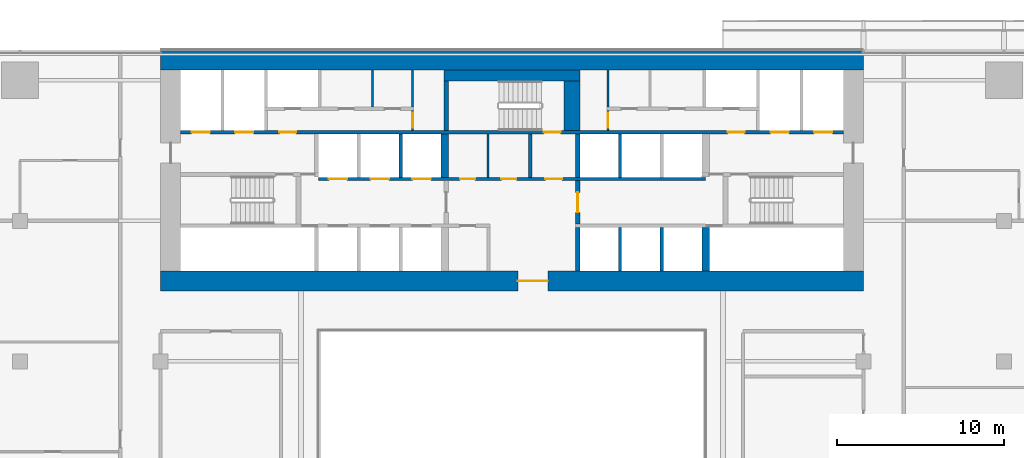
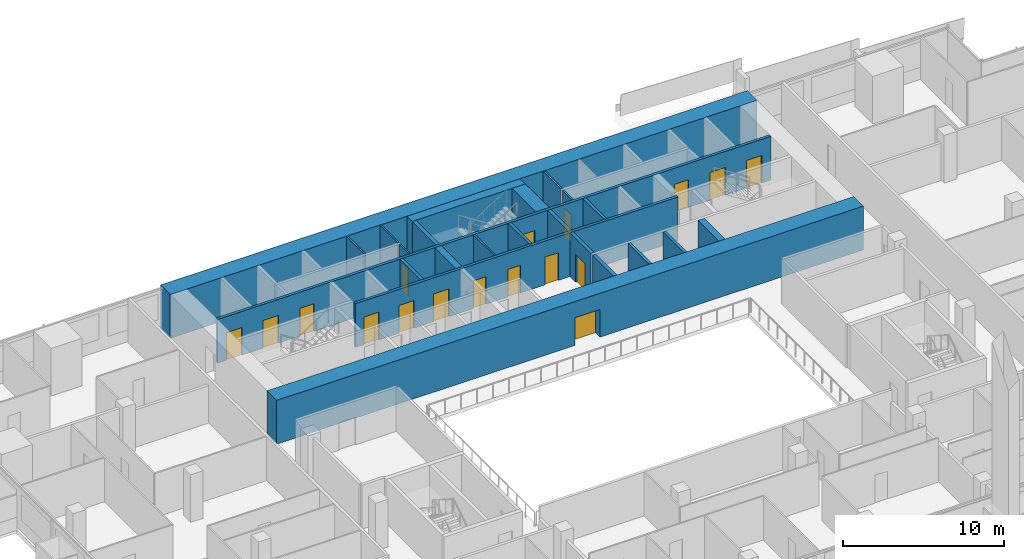
# One storey, part 21 of 30: 23 walls, 17 doors, 17 openings.
"""IFC4 building model written with IfcOpenShell, lengths in metres."""

from ifc_helpers import new_model, si_unit, direction, frame, frame_2d, origin, place, context, subcontext, project, spatial, rectangle, extrude, material, layer, layer_set, type_object, element, fill, save


model = new_model("IFC4")

# Units and contexts
model_context = context("Model", 3, precision=1e-05, world=origin(), true_north=direction((0.0, 1.0)))
body_context = subcontext(model_context, "Body", "Model", "MODEL_VIEW")
ifc_project = project(units=[si_unit("LENGTHUNIT", "METRE"), si_unit("AREAUNIT", "SQUARE_METRE"), si_unit("VOLUMEUNIT", "CUBIC_METRE"), si_unit("PLANEANGLEUNIT", "RADIAN"), si_unit("MASSUNIT", "GRAM", prefix="KILO")], contexts=[model_context])

# Site, building, storey
site_placement = place(None, origin())
site = spatial("IfcSite", under=ifc_project, at=site_placement, CompositionType="ELEMENT")
building_placement = place(site_placement, origin())
building = spatial("IfcBuilding", under=site, at=building_placement, Name="Saffron Gate Tower", CompositionType="ELEMENT")
storey_placement = place(building_placement, frame((0.0, 0.0, 37.199951171875)))
storey = spatial("IfcBuildingStorey", under=building, at=storey_placement, Name="L07", CompositionType="ELEMENT", Elevation=37.199951171875)

# Wall, opening, door
ifc_material_1 = material(Name="Concrete C70", Category="concrete")
ifc_layer_1 = layer(ifc_material_1, 1.199951171875)
ifc_layer_set_1 = layer_set([ifc_layer_1], Name="CW1 RC core wall 1200 C70")
wall_type_1 = type_object("IfcWallType", Name="CW1 RC core wall 1200 C70", PredefinedType="SOLIDWALL", material=ifc_layer_set_1)
wall_1_placement = place(storey_placement, frame((66.60009765625, 61.800048828125, 0.0), z_axis=(0.0, 0.0, 1.0), x_axis=(1.0, 0.0, 0.0)))
wall_1 = element("IfcWall", 1, at=wall_1_placement, inside=storey, type_object=wall_type_1, Name="Wall CW1-L07-1", PredefinedType="SOLIDWALL", context=body_context, shape_type="SweptSolid", body=[
    extrude(rectangle(XDim=42.0, YDim=1.199951171875, at=frame_2d((21.0, 0.0))), origin(), (0.0, 0.0, 1.0), 3.320068359375),
])
opening_1_placement = place(wall_1_placement, frame((21.35009765625, 0.0, 0.0)))
opening_1 = element("IfcOpeningElement", 2, at=opening_1_placement, cuts=wall_1, Name="Opening CR-09", PredefinedType="OPENING", context=body_context, shape_type="SweptSolid", body=[
    extrude(rectangle(XDim=1.800048828125, YDim=2.10009765625, at=frame_2d((0.89990234375, 1.050048828125))), frame((0.0, 0.60986328125, 0.0), z_axis=(0.0, -1.0, 0.0), x_axis=(1.0, 0.0, 0.0)), (0.0, 0.0, 1.0), 1.219970703125),
])
ifc_material_2 = material(Name="Steel fire door set", Category="steel")
door_type_1 = type_object("IfcDoorType", Name="CD1 Core entrance door 1800x2100 EI 120", OperationType="NOTDEFINED", PredefinedType="DOOR", material=ifc_material_2)
door_1_placement = place(opening_1_placement, origin())
door_1 = element("IfcDoor", 3, at=door_1_placement, inside=storey, type_object=door_type_1, Name="DOOR CR-09", OperationType="DOUBLE_DOOR_SINGLE_SWING", OverallHeight=2.10009765625, OverallWidth=1.800048828125, PredefinedType="DOOR", context=body_context, shape_type="SweptSolid", body=[
    extrude(rectangle(XDim=1.800048828125, YDim=2.10009765625, at=frame_2d((0.89990234375, 1.050048828125))), frame((0.0, 0.02490234375, 0.0), z_axis=(0.0, -1.0, 0.0), x_axis=(1.0, 0.0, 0.0)), (0.0, 0.0, 1.0), 0.050048828125),
])
fill(opening_1, door_1)

# Walls
wall_2_placement = place(storey_placement, frame((66.60009765625, 75.0, 0.0), z_axis=(0.0, 0.0, 1.0), x_axis=(1.0, 0.0, 0.0)))
element("IfcWall", 4, at=wall_2_placement, inside=storey, type_object=wall_type_1, Name="Wall CW1-L07-2", PredefinedType="SOLIDWALL", context=body_context, shape_type="SweptSolid", body=[
    extrude(rectangle(XDim=42.0, YDim=1.199951171875, at=frame_2d((21.0, 0.0))), origin(), (0.0, 0.0, 1.0), 3.320068359375),
])
ifc_material_3 = material(Name="Gypsum board partition on steel studs", Category="steel")
ifc_layer_2 = layer(ifc_material_3, 0.199951171875)
ifc_layer_set_2 = layer_set([ifc_layer_2], Name="CW10 Core partition 200")
wall_type_2 = type_object("IfcWallType", Name="CW10 Core partition 200", PredefinedType="PARTITIONING", material=ifc_layer_set_2)
wall_3_placement = place(storey_placement, frame((88.699951171875, 68.0, 0.0), z_axis=(0.0, 0.0, 1.0), x_axis=(0.0, 1.0, 0.0)))
element("IfcWall", 5, at=wall_3_placement, inside=storey, type_object=wall_type_2, Name="Wall CW10-L07-25", PredefinedType="PARTITIONING", context=body_context, shape_type="SweptSolid", body=[
    extrude(rectangle(XDim=2.60009765625, YDim=0.199951171875, at=frame_2d((1.300048828125, 0.0))), origin(), (0.0, 0.0, 1.0), 3.320068359375),
])
ifc_layer_3 = layer(ifc_material_1, 0.25)
ifc_layer_set_3 = layer_set([ifc_layer_3], Name="CW2 RC core wall 250 C70")
wall_type_3 = type_object("IfcWallType", Name="CW2 RC core wall 250 C70", PredefinedType="SOLIDWALL", material=ifc_layer_set_3)
wall_4_placement = place(storey_placement, frame((91.52490234375, 62.39990234375, 0.0), z_axis=(0.0, 0.0, 1.0), x_axis=(0.0, 1.0, 0.0)))
element("IfcWall", 6, at=wall_4_placement, inside=storey, type_object=wall_type_3, Name="Wall CW2-L07-10", PredefinedType="SOLIDWALL", context=body_context, shape_type="SweptSolid", body=[
    extrude(rectangle(XDim=2.60009765625, YDim=0.25, at=frame_2d((1.300048828125, 0.0))), origin(), (0.0, 0.0, 1.0), 3.320068359375),
])

# Wall, opening, door
wall_5_placement = place(storey_placement, frame((91.52490234375, 65.199951171875, 0.0), z_axis=(0.0, 0.0, 1.0), x_axis=(0.0, 1.0, 0.0)))
wall_5 = element("IfcWall", 7, at=wall_5_placement, inside=storey, type_object=wall_type_3, Name="Wall CW2-L07-18", PredefinedType="SOLIDWALL", context=body_context, shape_type="SweptSolid", body=[
    extrude(rectangle(XDim=2.60009765625, YDim=0.25, at=frame_2d((1.300048828125, 0.0))), origin(), (0.0, 0.0, 1.0), 3.320068359375),
])
opening_2_placement = place(wall_5_placement, frame((0.699951171875, 0.0, 0.0)))
opening_2 = element("IfcOpeningElement", 8, at=opening_2_placement, cuts=wall_5, Name="Opening CR-01", PredefinedType="OPENING", context=body_context, shape_type="SweptSolid", body=[
    extrude(rectangle(XDim=1.199951171875, YDim=2.10009765625, at=frame_2d((0.60009765625, 1.050048828125))), frame((0.0, 0.135009765625, 0.0), z_axis=(0.0, -1.0, 0.0), x_axis=(1.0, 0.0, 0.0)), (0.0, 0.0, 1.0), 0.27001953125),
])
door_type_2 = type_object("IfcDoorType", Name="CD3 Lobby door 1200x2100 EI 120", OperationType="NOTDEFINED", PredefinedType="DOOR", material=ifc_material_2)
door_2_placement = place(opening_2_placement, origin())
door_2 = element("IfcDoor", 9, at=door_2_placement, inside=storey, type_object=door_type_2, Name="DOOR CR-01", OperationType="SINGLE_SWING_RIGHT", OverallHeight=2.10009765625, OverallWidth=1.199951171875, PredefinedType="DOOR", context=body_context, shape_type="SweptSolid", body=[
    extrude(rectangle(XDim=1.199951171875, YDim=2.10009765625, at=frame_2d((0.60009765625, 1.050048828125))), frame((0.0, 0.02490234375, 0.0), z_axis=(0.0, -1.0, 0.0), x_axis=(1.0, 0.0, 0.0)), (0.0, 0.0, 1.0), 0.050048828125),
])
fill(opening_2, door_2)

# Walls
wall_6_placement = place(storey_placement, frame((91.52490234375, 68.0, 0.0), z_axis=(0.0, 0.0, 1.0), x_axis=(0.0, 1.0, 0.0)))
element("IfcWall", 10, at=wall_6_placement, inside=storey, type_object=wall_type_3, Name="Wall CW2-L07-26", PredefinedType="SOLIDWALL", context=body_context, shape_type="SweptSolid", body=[
    extrude(rectangle(XDim=2.60009765625, YDim=0.25, at=frame_2d((1.300048828125, 0.0))), origin(), (0.0, 0.0, 1.0), 3.320068359375),
])
wall_7_placement = place(storey_placement, frame((83.675048828125, 70.800048828125, 0.0), z_axis=(0.0, 0.0, 1.0), x_axis=(0.0, 1.0, 0.0)))
element("IfcWall", 11, at=wall_7_placement, inside=storey, type_object=wall_type_3, Name="Wall CW2-L07-38", PredefinedType="SOLIDWALL", context=body_context, shape_type="SweptSolid", body=[
    extrude(rectangle(XDim=2.949951171875, YDim=0.25, at=frame_2d((1.47509765625, 0.0))), origin(), (0.0, 0.0, 1.0), 3.320068359375),
])
ifc_layer_4 = layer(ifc_material_1, 0.199951171875)
ifc_layer_set_4 = layer_set([ifc_layer_4], Name="CW3 RC core wall 200 C70")
wall_type_4 = type_object("IfcWallType", Name="CW3 RC core wall 200 C70", PredefinedType="SOLIDWALL", material=ifc_layer_set_4)
for number, where, z_axis, x_axis, name in (
    (12, (94.050048828125, 62.39990234375, 0.0), (0.0, 0.0, 1.0), (0.0, 1.0, 0.0), "Wall CW3-L07-11"),
    (13, (96.550048828125, 62.39990234375, 0.0), (0.0, 0.0, 1.0), (0.0, 1.0, 0.0), "Wall CW3-L07-12"),
):
    element("IfcWall", number, at=place(storey_placement, frame(where, z_axis=z_axis, x_axis=x_axis)), inside=storey, type_object=wall_type_4, Name=name, PredefinedType="SOLIDWALL", context=body_context, shape_type="SweptSolid", body=[
        extrude(rectangle(XDim=2.60009765625, YDim=0.199951171875, at=frame_2d((1.300048828125, 0.0))), origin(), (0.0, 0.0, 1.0), 3.320068359375),
    ])

# Wall, openings, doors
wall_8_placement = place(storey_placement, frame((76.050048828125, 67.89990234375, 0.0), z_axis=(0.0, 0.0, 1.0), x_axis=(1.0, 0.0, 0.0)))
wall_8 = element("IfcWall", 14, at=wall_8_placement, inside=storey, type_object=wall_type_4, Name="Wall CW3-L07-20", PredefinedType="SOLIDWALL", context=body_context, shape_type="SweptSolid", body=[
    extrude(rectangle(XDim=23.099853515625, YDim=0.199951171875, at=frame_2d((11.5498046875, 0.0))), origin(), (0.0, 0.0, 1.0), 3.320068359375),
])
opening_3_placement = place(wall_8_placement, frame((0.60009765625, 0.0, 0.0)))
opening_3 = element("IfcOpeningElement", 15, at=opening_3_placement, cuts=wall_8, Name="Opening LD-LR4", PredefinedType="OPENING", context=body_context, shape_type="SweptSolid", body=[
    extrude(rectangle(XDim=1.10009765625, YDim=2.10009765625, at=frame_2d((0.550048828125, 1.050048828125))), frame((0.0, 0.10986328125, 0.0), z_axis=(0.0, -1.0, 0.0), x_axis=(1.0, 0.0, 0.0)), (0.0, 0.0, 1.0), 0.219970703125),
])
opening_4_placement = place(wall_8_placement, frame((3.10009765625, 0.0, 0.0)))
opening_4 = element("IfcOpeningElement", 16, at=opening_4_placement, cuts=wall_8, Name="Opening LD-LR5", PredefinedType="OPENING", context=body_context, shape_type="SweptSolid", body=[
    extrude(rectangle(XDim=1.10009765625, YDim=2.10009765625, at=frame_2d((0.550048828125, 1.050048828125))), frame((0.0, 0.10986328125, 0.0), z_axis=(0.0, -1.0, 0.0), x_axis=(1.0, 0.0, 0.0)), (0.0, 0.0, 1.0), 0.219970703125),
])
opening_5_placement = place(wall_8_placement, frame((5.60009765625, 0.0, 0.0)))
opening_5 = element("IfcOpeningElement", 17, at=opening_5_placement, cuts=wall_8, Name="Opening LD-LR6", PredefinedType="OPENING", context=body_context, shape_type="SweptSolid", body=[
    extrude(rectangle(XDim=1.10009765625, YDim=2.10009765625, at=frame_2d((0.550048828125, 1.050048828125))), frame((0.0, 0.10986328125, 0.0), z_axis=(0.0, -1.0, 0.0), x_axis=(1.0, 0.0, 0.0)), (0.0, 0.0, 1.0), 0.219970703125),
])
opening_6_placement = place(wall_8_placement, frame((8.449951171875, 0.0, 0.0)))
opening_6 = element("IfcOpeningElement", 18, at=opening_6_placement, cuts=wall_8, Name="Opening CR-67", PredefinedType="OPENING", context=body_context, shape_type="SweptSolid", body=[
    extrude(rectangle(XDim=0.89990234375, YDim=2.10009765625, at=frame_2d((0.449951171875, 1.050048828125))), frame((0.0, 0.10986328125, 0.0), z_axis=(0.0, -1.0, 0.0), x_axis=(1.0, 0.0, 0.0)), (0.0, 0.0, 1.0), 0.219970703125),
])
opening_7_placement = place(wall_8_placement, frame((10.909912109375, 0.0, 0.0)))
opening_7 = element("IfcOpeningElement", 19, at=opening_7_placement, cuts=wall_8, Name="Opening CR-68", PredefinedType="OPENING", context=body_context, shape_type="SweptSolid", body=[
    extrude(rectangle(XDim=0.89990234375, YDim=2.10009765625, at=frame_2d((0.449951171875, 1.050048828125))), frame((0.0, 0.10986328125, 0.0), z_axis=(0.0, -1.0, 0.0), x_axis=(1.0, 0.0, 0.0)), (0.0, 0.0, 1.0), 0.219970703125),
])
opening_8_placement = place(wall_8_placement, frame((13.550048828125, 0.0, 0.0)))
opening_8 = element("IfcOpeningElement", 20, at=opening_8_placement, cuts=wall_8, Name="Opening CR-02", PredefinedType="OPENING", context=body_context, shape_type="SweptSolid", body=[
    extrude(rectangle(XDim=1.0, YDim=2.10009765625, at=frame_2d((0.5, 1.050048828125))), frame((0.0, 0.10986328125, 0.0), z_axis=(0.0, -1.0, 0.0), x_axis=(1.0, 0.0, 0.0)), (0.0, 0.0, 1.0), 0.219970703125),
])
door_type_3 = type_object("IfcDoorType", Name="CD4 Lobby door 1000x2100 EI 120", OperationType="NOTDEFINED", PredefinedType="DOOR", material=ifc_material_2)
door_3_placement = place(opening_8_placement, origin())
door_3 = element("IfcDoor", 21, at=door_3_placement, inside=storey, type_object=door_type_3, Name="DOOR CR-02", OperationType="SINGLE_SWING_LEFT", OverallHeight=2.10009765625, OverallWidth=1.0, PredefinedType="DOOR", context=body_context, shape_type="SweptSolid", body=[
    extrude(rectangle(XDim=1.0, YDim=2.10009765625, at=frame_2d((0.5, 1.050048828125))), frame((0.0, 0.02490234375, 0.0), z_axis=(0.0, -1.0, 0.0), x_axis=(1.0, 0.0, 0.0)), (0.0, 0.0, 1.0), 0.050048828125),
])
fill(opening_8, door_3)
door_type_4 = type_object("IfcDoorType", Name="CD9 Room door 900x2100 EI 60", OperationType="NOTDEFINED", PredefinedType="DOOR", material=ifc_material_2)
door_4_placement = place(opening_6_placement, origin())
door_4 = element("IfcDoor", 22, at=door_4_placement, inside=storey, type_object=door_type_4, Name="DOOR CR-67", OperationType="SINGLE_SWING_LEFT", OverallHeight=2.10009765625, OverallWidth=0.89990234375, PredefinedType="DOOR", context=body_context, shape_type="SweptSolid", body=[
    extrude(rectangle(XDim=0.89990234375, YDim=2.10009765625, at=frame_2d((0.449951171875, 1.050048828125))), frame((0.0, 0.02490234375, 0.0), z_axis=(0.0, -1.0, 0.0), x_axis=(1.0, 0.0, 0.0)), (0.0, 0.0, 1.0), 0.050048828125),
])
fill(opening_6, door_4)
door_5_placement = place(opening_7_placement, origin())
door_5 = element("IfcDoor", 23, at=door_5_placement, inside=storey, type_object=door_type_4, Name="DOOR CR-68", OperationType="SINGLE_SWING_LEFT", OverallHeight=2.10009765625, OverallWidth=0.89990234375, PredefinedType="DOOR", context=body_context, shape_type="SweptSolid", body=[
    extrude(rectangle(XDim=0.89990234375, YDim=2.10009765625, at=frame_2d((0.449951171875, 1.050048828125))), frame((0.0, 0.02490234375, 0.0), z_axis=(0.0, -1.0, 0.0), x_axis=(1.0, 0.0, 0.0)), (0.0, 0.0, 1.0), 0.050048828125),
])
fill(opening_7, door_5)
ifc_material_4 = material(Name="Stainless steel landing door", Category="steel")
door_type_5 = type_object("IfcDoorType", Name="LD Lift landing door 1100x2100 EI 120", OperationType="SLIDING_TO_LEFT", PredefinedType="DOOR", material=ifc_material_4)
door_6_placement = place(opening_3_placement, origin())
door_6 = element("IfcDoor", 24, at=door_6_placement, inside=storey, type_object=door_type_5, Name="LANDING DOOR LD-LR4", OperationType="SLIDING_TO_RIGHT", OverallHeight=2.10009765625, OverallWidth=1.10009765625, PredefinedType="DOOR", context=body_context, shape_type="SweptSolid", body=[
    extrude(rectangle(XDim=1.10009765625, YDim=2.10009765625, at=frame_2d((0.550048828125, 1.050048828125))), frame((0.0, 0.02490234375, 0.0), z_axis=(0.0, -1.0, 0.0), x_axis=(1.0, 0.0, 0.0)), (0.0, 0.0, 1.0), 0.050048828125),
])
fill(opening_3, door_6)
door_7_placement = place(opening_4_placement, origin())
door_7 = element("IfcDoor", 25, at=door_7_placement, inside=storey, type_object=door_type_5, Name="LANDING DOOR LD-LR5", OperationType="SLIDING_TO_RIGHT", OverallHeight=2.10009765625, OverallWidth=1.10009765625, PredefinedType="DOOR", context=body_context, shape_type="SweptSolid", body=[
    extrude(rectangle(XDim=1.10009765625, YDim=2.10009765625, at=frame_2d((0.550048828125, 1.050048828125))), frame((0.0, 0.02490234375, 0.0), z_axis=(0.0, -1.0, 0.0), x_axis=(1.0, 0.0, 0.0)), (0.0, 0.0, 1.0), 0.050048828125),
])
fill(opening_4, door_7)
door_8_placement = place(opening_5_placement, origin())
door_8 = element("IfcDoor", 26, at=door_8_placement, inside=storey, type_object=door_type_5, Name="LANDING DOOR LD-LR6", OperationType="SLIDING_TO_RIGHT", OverallHeight=2.10009765625, OverallWidth=1.10009765625, PredefinedType="DOOR", context=body_context, shape_type="SweptSolid", body=[
    extrude(rectangle(XDim=1.10009765625, YDim=2.10009765625, at=frame_2d((0.550048828125, 1.050048828125))), frame((0.0, 0.02490234375, 0.0), z_axis=(0.0, -1.0, 0.0), x_axis=(1.0, 0.0, 0.0)), (0.0, 0.0, 1.0), 0.050048828125),
])
fill(opening_5, door_8)

# Walls
for number, where, z_axis, x_axis, name in (
    (27, (80.949951171875, 68.0, 0.0), (0.0, 0.0, 1.0), (0.0, 1.0, 0.0), "Wall CW3-L07-22"),
    (28, (94.050048828125, 68.0, 0.0), (0.0, 0.0, 1.0), (0.0, 1.0, 0.0), "Wall CW3-L07-27"),
):
    element("IfcWall", number, at=place(storey_placement, frame(where, z_axis=z_axis, x_axis=x_axis)), inside=storey, type_object=wall_type_4, Name=name, PredefinedType="SOLIDWALL", context=body_context, shape_type="SweptSolid", body=[
        extrude(rectangle(XDim=2.60009765625, YDim=0.199951171875, at=frame_2d((1.300048828125, 0.0))), origin(), (0.0, 0.0, 1.0), 3.320068359375),
    ])

# Wall, openings, doors
wall_9_placement = place(storey_placement, frame((67.800048828125, 70.699951171875, 0.0), z_axis=(0.0, 0.0, 1.0), x_axis=(1.0, 0.0, 0.0)))
wall_9 = element("IfcWall", 29, at=wall_9_placement, inside=storey, type_object=wall_type_4, Name="Wall CW3-L07-34", PredefinedType="SOLIDWALL", context=body_context, shape_type="SweptSolid", body=[
    extrude(rectangle(XDim=39.599853515625, YDim=0.199951171875, at=frame_2d((19.7998046875, 0.0))), origin(), (0.0, 0.0, 1.0), 3.320068359375),
])
opening_9_placement = place(wall_9_placement, frame((0.64990234375, 0.0, 0.0)))
opening_9 = element("IfcOpeningElement", 30, at=opening_9_placement, cuts=wall_9, Name="Opening LD-FF1", PredefinedType="OPENING", context=body_context, shape_type="SweptSolid", body=[
    extrude(rectangle(XDim=1.10009765625, YDim=2.10009765625, at=frame_2d((0.550048828125, 1.050048828125))), frame((0.0, 0.10986328125, 0.0), z_axis=(0.0, -1.0, 0.0), x_axis=(1.0, 0.0, 0.0)), (0.0, 0.0, 1.0), 0.219970703125),
])
opening_10_placement = place(wall_9_placement, frame((3.25, 0.0, 0.0)))
opening_10 = element("IfcOpeningElement", 31, at=opening_10_placement, cuts=wall_9, Name="Opening LD-SV1", PredefinedType="OPENING", context=body_context, shape_type="SweptSolid", body=[
    extrude(rectangle(XDim=1.10009765625, YDim=2.10009765625, at=frame_2d((0.550048828125, 1.050048828125))), frame((0.0, 0.10986328125, 0.0), z_axis=(0.0, -1.0, 0.0), x_axis=(1.0, 0.0, 0.0)), (0.0, 0.0, 1.0), 0.219970703125),
])
opening_11_placement = place(wall_9_placement, frame((5.89990234375, 0.0, 0.0)))
opening_11 = element("IfcOpeningElement", 32, at=opening_11_placement, cuts=wall_9, Name="Opening CR-03", PredefinedType="OPENING", context=body_context, shape_type="SweptSolid", body=[
    extrude(rectangle(XDim=1.0, YDim=2.10009765625, at=frame_2d((0.5, 1.050048828125))), frame((0.0, 0.10986328125, 0.0), z_axis=(0.0, -1.0, 0.0), x_axis=(1.0, 0.0, 0.0)), (0.0, 0.0, 1.0), 0.219970703125),
])
opening_12_placement = place(wall_9_placement, frame((21.699951171875, 0.0, 0.0)))
opening_12 = element("IfcOpeningElement", 33, at=opening_12_placement, cuts=wall_9, Name="Opening CR-17", PredefinedType="OPENING", context=body_context, shape_type="SweptSolid", body=[
    extrude(rectangle(XDim=1.0, YDim=2.10009765625, at=frame_2d((0.5, 1.050048828125))), frame((0.0, 0.10986328125, 0.0), z_axis=(0.0, -1.0, 0.0), x_axis=(1.0, 0.0, 0.0)), (0.0, 0.0, 1.0), 0.219970703125),
])
opening_13_placement = place(wall_9_placement, frame((32.699951171875, 0.0, 0.0)))
opening_13 = element("IfcOpeningElement", 34, at=opening_13_placement, cuts=wall_9, Name="Opening CR-04", PredefinedType="OPENING", context=body_context, shape_type="SweptSolid", body=[
    extrude(rectangle(XDim=1.0, YDim=2.10009765625, at=frame_2d((0.5, 1.050048828125))), frame((0.0, 0.10986328125, 0.0), z_axis=(0.0, -1.0, 0.0), x_axis=(1.0, 0.0, 0.0)), (0.0, 0.0, 1.0), 0.219970703125),
])
opening_14_placement = place(wall_9_placement, frame((35.25, 0.0, 0.0)))
opening_14 = element("IfcOpeningElement", 35, at=opening_14_placement, cuts=wall_9, Name="Opening LD-SV2", PredefinedType="OPENING", context=body_context, shape_type="SweptSolid", body=[
    extrude(rectangle(XDim=1.10009765625, YDim=2.10009765625, at=frame_2d((0.550048828125, 1.050048828125))), frame((0.0, 0.10986328125, 0.0), z_axis=(0.0, -1.0, 0.0), x_axis=(1.0, 0.0, 0.0)), (0.0, 0.0, 1.0), 0.219970703125),
])
opening_15_placement = place(wall_9_placement, frame((37.85009765625, 0.0, 0.0)))
opening_15 = element("IfcOpeningElement", 36, at=opening_15_placement, cuts=wall_9, Name="Opening LD-FF2", PredefinedType="OPENING", context=body_context, shape_type="SweptSolid", body=[
    extrude(rectangle(XDim=1.10009765625, YDim=2.10009765625, at=frame_2d((0.550048828125, 1.050048828125))), frame((0.0, 0.10986328125, 0.0), z_axis=(0.0, -1.0, 0.0), x_axis=(1.0, 0.0, 0.0)), (0.0, 0.0, 1.0), 0.219970703125),
])
door_9_placement = place(opening_11_placement, origin())
door_9 = element("IfcDoor", 37, at=door_9_placement, inside=storey, type_object=door_type_3, Name="DOOR CR-03", OperationType="SINGLE_SWING_LEFT", OverallHeight=2.10009765625, OverallWidth=1.0, PredefinedType="DOOR", context=body_context, shape_type="SweptSolid", body=[
    extrude(rectangle(XDim=1.0, YDim=2.10009765625, at=frame_2d((0.5, 1.050048828125))), frame((0.0, 0.02490234375, 0.0), z_axis=(0.0, -1.0, 0.0), x_axis=(1.0, 0.0, 0.0)), (0.0, 0.0, 1.0), 0.050048828125),
])
fill(opening_11, door_9)
door_10_placement = place(opening_13_placement, origin())
door_10 = element("IfcDoor", 38, at=door_10_placement, inside=storey, type_object=door_type_3, Name="DOOR CR-04", OperationType="SINGLE_SWING_RIGHT", OverallHeight=2.10009765625, OverallWidth=1.0, PredefinedType="DOOR", context=body_context, shape_type="SweptSolid", body=[
    extrude(rectangle(XDim=1.0, YDim=2.10009765625, at=frame_2d((0.5, 1.050048828125))), frame((0.0, 0.02490234375, 0.0), z_axis=(0.0, -1.0, 0.0), x_axis=(1.0, 0.0, 0.0)), (0.0, 0.0, 1.0), 0.050048828125),
])
fill(opening_13, door_10)
door_type_6 = type_object("IfcDoorType", Name="CD5 Stair door 1000x2100 EI 120", OperationType="NOTDEFINED", PredefinedType="DOOR", material=ifc_material_2)
door_11_placement = place(opening_12_placement, origin())
door_11 = element("IfcDoor", 39, at=door_11_placement, inside=storey, type_object=door_type_6, Name="DOOR CR-17", OperationType="SINGLE_SWING_RIGHT", OverallHeight=2.10009765625, OverallWidth=1.0, PredefinedType="DOOR", context=body_context, shape_type="SweptSolid", body=[
    extrude(rectangle(XDim=1.0, YDim=2.10009765625, at=frame_2d((0.5, 1.050048828125))), frame((0.0, 0.02490234375, 0.0), z_axis=(0.0, -1.0, 0.0), x_axis=(1.0, 0.0, 0.0)), (0.0, 0.0, 1.0), 0.050048828125),
])
fill(opening_12, door_11)
door_12_placement = place(opening_9_placement, origin())
door_12 = element("IfcDoor", 40, at=door_12_placement, inside=storey, type_object=door_type_5, Name="LANDING DOOR LD-FF1", OperationType="SLIDING_TO_RIGHT", OverallHeight=2.10009765625, OverallWidth=1.10009765625, PredefinedType="DOOR", context=body_context, shape_type="SweptSolid", body=[
    extrude(rectangle(XDim=1.10009765625, YDim=2.10009765625, at=frame_2d((0.550048828125, 1.050048828125))), frame((0.0, 0.02490234375, 0.0), z_axis=(0.0, -1.0, 0.0), x_axis=(1.0, 0.0, 0.0)), (0.0, 0.0, 1.0), 0.050048828125),
])
fill(opening_9, door_12)
door_13_placement = place(opening_10_placement, origin())
door_13 = element("IfcDoor", 41, at=door_13_placement, inside=storey, type_object=door_type_5, Name="LANDING DOOR LD-SV1", OperationType="SLIDING_TO_RIGHT", OverallHeight=2.10009765625, OverallWidth=1.10009765625, PredefinedType="DOOR", context=body_context, shape_type="SweptSolid", body=[
    extrude(rectangle(XDim=1.10009765625, YDim=2.10009765625, at=frame_2d((0.550048828125, 1.050048828125))), frame((0.0, 0.02490234375, 0.0), z_axis=(0.0, -1.0, 0.0), x_axis=(1.0, 0.0, 0.0)), (0.0, 0.0, 1.0), 0.050048828125),
])
fill(opening_10, door_13)
door_14_placement = place(opening_14_placement, origin())
door_14 = element("IfcDoor", 42, at=door_14_placement, inside=storey, type_object=door_type_5, Name="LANDING DOOR LD-SV2", OperationType="SLIDING_TO_RIGHT", OverallHeight=2.10009765625, OverallWidth=1.10009765625, PredefinedType="DOOR", context=body_context, shape_type="SweptSolid", body=[
    extrude(rectangle(XDim=1.10009765625, YDim=2.10009765625, at=frame_2d((0.550048828125, 1.050048828125))), frame((0.0, 0.02490234375, 0.0), z_axis=(0.0, -1.0, 0.0), x_axis=(1.0, 0.0, 0.0)), (0.0, 0.0, 1.0), 0.050048828125),
])
fill(opening_14, door_14)
door_15_placement = place(opening_15_placement, origin())
door_15 = element("IfcDoor", 43, at=door_15_placement, inside=storey, type_object=door_type_5, Name="LANDING DOOR LD-FF2", OperationType="SLIDING_TO_RIGHT", OverallHeight=2.10009765625, OverallWidth=1.10009765625, PredefinedType="DOOR", context=body_context, shape_type="SweptSolid", body=[
    extrude(rectangle(XDim=1.10009765625, YDim=2.10009765625, at=frame_2d((0.550048828125, 1.050048828125))), frame((0.0, 0.02490234375, 0.0), z_axis=(0.0, -1.0, 0.0), x_axis=(1.0, 0.0, 0.0)), (0.0, 0.0, 1.0), 0.050048828125),
])
fill(opening_15, door_15)

# Walls
ifc_layer_5 = layer(ifc_material_1, 0.449951171875)
ifc_layer_set_5 = layer_set([ifc_layer_5], Name="CW4 RC core wall 450 C70")
wall_type_5 = type_object("IfcWallType", Name="CW4 RC core wall 450 C70", PredefinedType="SOLIDWALL", material=ifc_layer_set_5)
for number, where, z_axis, x_axis, name in (
    (44, (99.175048828125, 62.39990234375, 0.0), (0.0, 0.0, 1.0), (0.0, 1.0, 0.0), "Wall CW4-L07-13"),
    (45, (83.574951171875, 68.0, 0.0), (0.0, 0.0, 1.0), (0.0, 1.0, 0.0), "Wall CW4-L07-23"),
):
    element("IfcWall", number, at=place(storey_placement, frame(where, z_axis=z_axis, x_axis=x_axis)), inside=storey, type_object=wall_type_5, Name=name, PredefinedType="SOLIDWALL", context=body_context, shape_type="SweptSolid", body=[
        extrude(rectangle(XDim=2.60009765625, YDim=0.449951171875, at=frame_2d((1.300048828125, 0.0))), origin(), (0.0, 0.0, 1.0), 3.320068359375),
    ])
ifc_layer_6 = layer(ifc_material_1, 0.949951171875)
ifc_layer_set_6 = layer_set([ifc_layer_6], Name="CW7 RC core wall 950 C70")
wall_type_6 = type_object("IfcWallType", Name="CW7 RC core wall 950 C70", PredefinedType="SOLIDWALL", material=ifc_layer_set_6)
wall_10_placement = place(storey_placement, frame((91.175048828125, 70.800048828125, 0.0), z_axis=(0.0, 0.0, 1.0), x_axis=(0.0, 1.0, 0.0)))
element("IfcWall", 46, at=wall_10_placement, inside=storey, type_object=wall_type_6, Name="Wall CW7-L07-39", PredefinedType="SOLIDWALL", context=body_context, shape_type="SweptSolid", body=[
    extrude(rectangle(XDim=2.949951171875, YDim=0.949951171875, at=frame_2d((1.47509765625, 0.0))), origin(), (0.0, 0.0, 1.0), 3.320068359375),
])
ifc_layer_7 = layer(ifc_material_3, 0.1201171875)
ifc_layer_set_7 = layer_set([ifc_layer_7], Name="CW8 Core partition 120")
wall_type_7 = type_object("IfcWallType", Name="CW8 Core partition 120", PredefinedType="PARTITIONING", material=ifc_layer_set_7)
wall_11_placement = place(storey_placement, frame((86.159912109375, 68.0, 0.0), z_axis=(0.0, 0.0, 1.0), x_axis=(0.0, 1.0, 0.0)))
element("IfcWall", 47, at=wall_11_placement, inside=storey, type_object=wall_type_7, Name="Wall CW8-L07-24", PredefinedType="PARTITIONING", context=body_context, shape_type="SweptSolid", body=[
    extrude(rectangle(XDim=2.60009765625, YDim=0.1201171875, at=frame_2d((1.300048828125, 0.0))), origin(), (0.0, 0.0, 1.0), 3.320068359375),
])

# Wall, opening, door
wall_12_placement = place(storey_placement, frame((81.659912109375, 70.800048828125, 0.0), z_axis=(0.0, 0.0, 1.0), x_axis=(0.0, 1.0, 0.0)))
wall_12 = element("IfcWall", 48, at=wall_12_placement, inside=storey, type_object=wall_type_7, Name="Wall CW8-L07-37", PredefinedType="PARTITIONING", context=body_context, shape_type="SweptSolid", body=[
    extrude(rectangle(XDim=1.199951171875, YDim=0.1201171875, at=frame_2d((0.60009765625, 0.0))), origin(), (0.0, 0.0, 1.0), 3.320068359375),
])
opening_16_placement = place(wall_12_placement, frame((0.14990234375, 0.0, 0.0)))
opening_16 = element("IfcOpeningElement", 49, at=opening_16_placement, cuts=wall_12, Name="Opening CR-60", PredefinedType="OPENING", context=body_context, shape_type="SweptSolid", body=[
    extrude(rectangle(XDim=0.89990234375, YDim=2.10009765625, at=frame_2d((0.449951171875, 1.050048828125))), frame((0.0, 0.070068359375, 0.0), z_axis=(0.0, -1.0, 0.0), x_axis=(1.0, 0.0, 0.0)), (0.0, 0.0, 1.0), 0.14013671875),
])
door_16_placement = place(opening_16_placement, origin())
door_16 = element("IfcDoor", 50, at=door_16_placement, inside=storey, type_object=door_type_4, Name="DOOR CR-60", OperationType="SINGLE_SWING_RIGHT", OverallHeight=2.10009765625, OverallWidth=0.89990234375, PredefinedType="DOOR", context=body_context, shape_type="SweptSolid", body=[
    extrude(rectangle(XDim=0.89990234375, YDim=2.10009765625, at=frame_2d((0.449951171875, 1.050048828125))), frame((0.0, 0.02490234375, 0.0), z_axis=(0.0, -1.0, 0.0), x_axis=(1.0, 0.0, 0.0)), (0.0, 0.0, 1.0), 0.050048828125),
])
fill(opening_16, door_16)

wall_13_placement = place(storey_placement, frame((93.340087890625, 70.800048828125, 0.0), z_axis=(0.0, 0.0, 1.0), x_axis=(0.0, 1.0, 0.0)))
wall_13 = element("IfcWall", 51, at=wall_13_placement, inside=storey, type_object=wall_type_7, Name="Wall CW8-L07-40", PredefinedType="PARTITIONING", context=body_context, shape_type="SweptSolid", body=[
    extrude(rectangle(XDim=1.199951171875, YDim=0.1201171875, at=frame_2d((0.60009765625, 0.0))), origin(), (0.0, 0.0, 1.0), 3.320068359375),
])
opening_17_placement = place(wall_13_placement, frame((0.14990234375, 0.0, 0.0)))
opening_17 = element("IfcOpeningElement", 52, at=opening_17_placement, cuts=wall_13, Name="Opening CR-54", PredefinedType="OPENING", context=body_context, shape_type="SweptSolid", body=[
    extrude(rectangle(XDim=0.89990234375, YDim=2.10009765625, at=frame_2d((0.449951171875, 1.050048828125))), frame((0.0, 0.070068359375, 0.0), z_axis=(0.0, -1.0, 0.0), x_axis=(1.0, 0.0, 0.0)), (0.0, 0.0, 1.0), 0.14013671875),
])
door_17_placement = place(opening_17_placement, origin())
door_17 = element("IfcDoor", 53, at=door_17_placement, inside=storey, type_object=door_type_4, Name="DOOR CR-54", OperationType="SINGLE_SWING_LEFT", OverallHeight=2.10009765625, OverallWidth=0.89990234375, PredefinedType="DOOR", context=body_context, shape_type="SweptSolid", body=[
    extrude(rectangle(XDim=0.89990234375, YDim=2.10009765625, at=frame_2d((0.449951171875, 1.050048828125))), frame((0.0, 0.02490234375, 0.0), z_axis=(0.0, -1.0, 0.0), x_axis=(1.0, 0.0, 0.0)), (0.0, 0.0, 1.0), 0.050048828125),
])
fill(opening_17, door_17)

# Walls
for number, where, z_axis, x_axis, name in (
    (54, (79.260009765625, 72.199951171875, 0.0), (0.0, 0.0, 1.0), (0.0, 1.0, 0.0), "Wall CW8-L07-47"),
    (55, (81.659912109375, 72.199951171875, 0.0), (0.0, 0.0, 1.0), (0.0, 1.0, 0.0), "Wall CW8-L07-48"),
    (56, (93.340087890625, 72.199951171875, 0.0), (0.0, 0.0, 1.0), (0.0, 1.0, 0.0), "Wall CW8-L07-49"),
):
    element("IfcWall", number, at=place(storey_placement, frame(where, z_axis=z_axis, x_axis=x_axis)), inside=storey, type_object=wall_type_7, Name=name, PredefinedType="PARTITIONING", context=body_context, shape_type="SweptSolid", body=[
        extrude(rectangle(XDim=2.199951171875, YDim=0.1201171875, at=frame_2d((1.10009765625, 0.0))), origin(), (0.0, 0.0, 1.0), 3.320068359375),
    ])
ifc_layer_8 = layer(ifc_material_1, 0.64990234375)
ifc_layer_set_8 = layer_set([ifc_layer_8], Name="CW9 RC core wall 650 C70")
wall_type_8 = type_object("IfcWallType", Name="CW9 RC core wall 650 C70", PredefinedType="SOLIDWALL", material=ifc_layer_set_8)
wall_14_placement = place(storey_placement, frame((83.550048828125, 74.074951171875, 0.0), z_axis=(0.0, 0.0, 1.0), x_axis=(1.0, 0.0, 0.0)))
element("IfcWall", 57, at=wall_14_placement, inside=storey, type_object=wall_type_8, Name="Wall CW9-L07-53", PredefinedType="SOLIDWALL", context=body_context, shape_type="SweptSolid", body=[
    extrude(rectangle(XDim=8.099853515625, YDim=0.64990234375, at=frame_2d((4.0498046875, 0.0))), origin(), (0.0, 0.0, 1.0), 3.320068359375),
])

save(model, "model.ifc")
